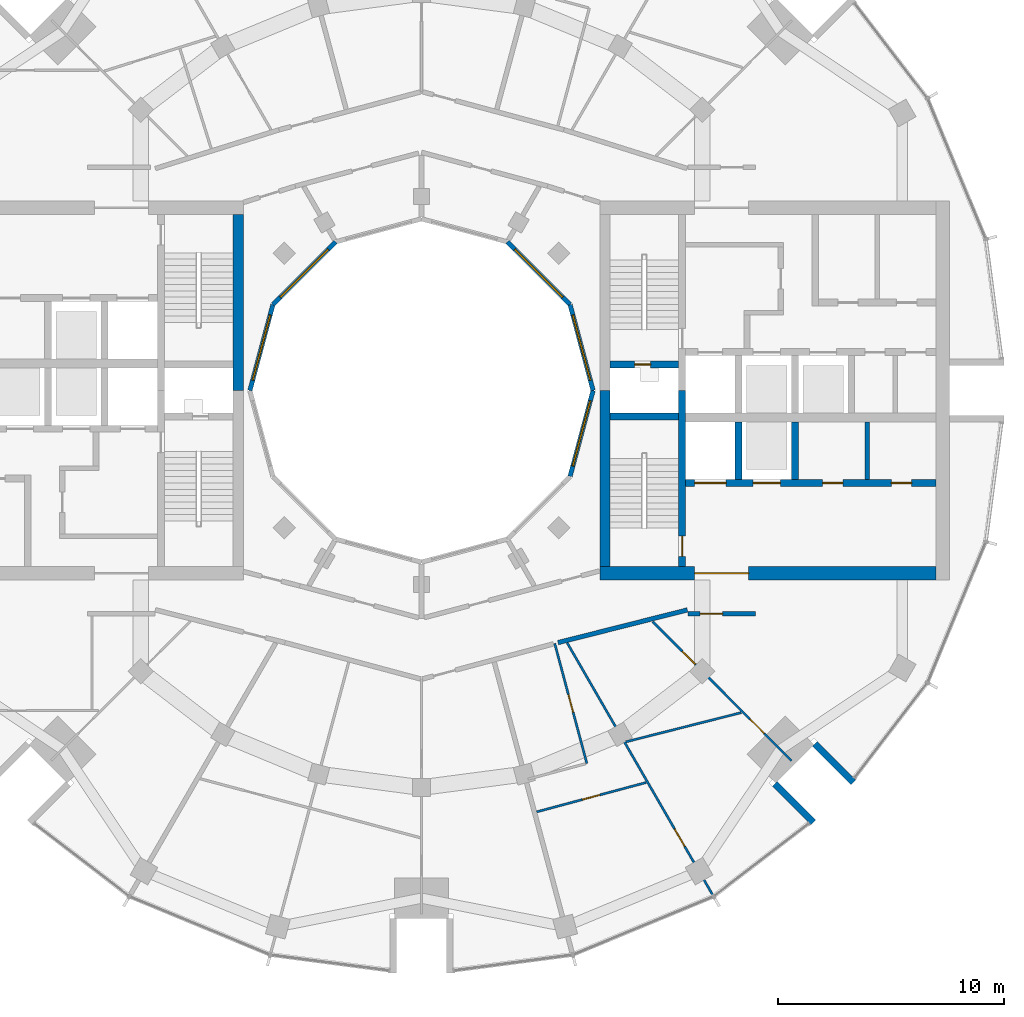
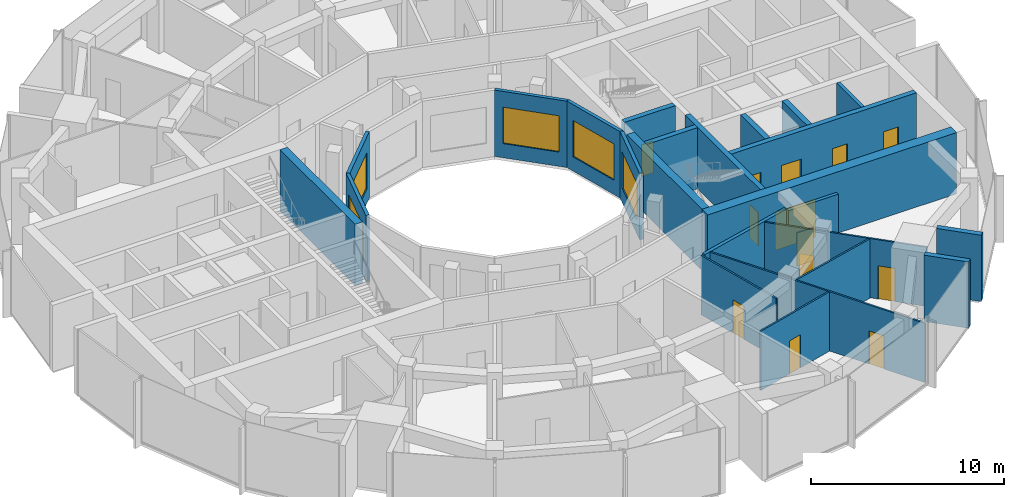
# One storey, part 10 of 15: 24 walls, 13 doors, 5 windows, 18 openings.
"""IFC4 building model written with IfcOpenShell, lengths in metres."""

from ifc_helpers import new_model, si_unit, direction, frame, frame_2d, origin, place, context, subcontext, project, spatial, rectangle, extrude, material, layer, layer_set, type_object, element, fill, save


model = new_model("IFC4")

# Units and contexts
model_context = context("Model", 3, precision=1e-05, world=origin(), true_north=direction((0.0, 1.0)))
body_context = subcontext(model_context, "Body", "Model", "MODEL_VIEW")
ifc_project = project(units=[si_unit("LENGTHUNIT", "METRE"), si_unit("AREAUNIT", "SQUARE_METRE"), si_unit("VOLUMEUNIT", "CUBIC_METRE"), si_unit("PLANEANGLEUNIT", "RADIAN"), si_unit("MASSUNIT", "GRAM", prefix="KILO")], contexts=[model_context])

# Site, building, storey
site_placement = place(None, origin())
site = spatial("IfcSite", under=ifc_project, at=site_placement, CompositionType="ELEMENT")
building_placement = place(site_placement, origin())
building = spatial("IfcBuilding", under=site, at=building_placement, Name="Torre Brocal", CompositionType="ELEMENT")
storey_placement = place(building_placement, frame((0.0, 0.0, 237.300048828125)))
storey = spatial("IfcBuildingStorey", under=building, at=storey_placement, Name="L54", CompositionType="ELEMENT", Elevation=237.300048828125)

# Wall
ifc_material_1 = material(Name="Masonry block", Category="masonry")
ifc_layer_1 = layer(ifc_material_1, 0.199951171875)
ifc_layer_set_1 = layer_set([ifc_layer_1], Name="Masonry block")
wall_type_1 = type_object("IfcWallType", Name="CORE PARTITION 200", PredefinedType="PARTITIONING", material=ifc_layer_set_1)
wall_1_placement = place(storey_placement, frame((99.75, 71.050048828125, 0.0), z_axis=(0.0, 0.0, 1.0), x_axis=(0.0, 1.0, 0.0)))
element("IfcWall", 1, at=wall_1_placement, inside=storey, type_object=wall_type_1, Name="Wall CP200", PredefinedType="PARTITIONING", context=body_context, shape_type="SweptSolid", body=[
    extrude(rectangle(XDim=2.550048828125, YDim=0.199951171875, at=frame_2d((1.27490234375, 0.0))), origin(), (0.0, 0.0, 1.0), 3.8798828125),
])

# Wall, opening, door
ifc_material_2 = material(Name="Concrete C60", Category="concrete")
ifc_layer_2 = layer(ifc_material_2, 0.300048828125)
ifc_layer_set_2 = layer_set([ifc_layer_2], Name="Concrete C60")
wall_type_2 = type_object("IfcWallType", Name="CORE WALL 300 C60", PredefinedType="SHEAR", material=ifc_layer_set_2)
wall_2_placement = place(storey_placement, frame((91.550048828125, 67.199951171875, 0.0), z_axis=(0.0, 0.0, 1.0), x_axis=(0.0, 1.0, 0.0)))
wall_2 = element("IfcWall", 2, at=wall_2_placement, inside=storey, type_object=wall_type_2, Name="Wall CW300-60", PredefinedType="SHEAR", context=body_context, shape_type="SweptSolid", body=[
    extrude(rectangle(XDim=7.800048828125, YDim=0.300048828125, at=frame_2d((3.89990234375, 0.0))), origin(), (0.0, 0.0, 1.0), 3.8798828125),
])
opening_1_placement = place(wall_2_placement, frame((0.449951171875, 0.0, 0.0)))
opening_1 = element("IfcOpeningElement", 3, at=opening_1_placement, cuts=wall_2, Name="Opening E-D03", PredefinedType="OPENING", context=body_context, shape_type="SweptSolid", body=[
    extrude(rectangle(XDim=0.89990234375, YDim=2.10009765625, at=frame_2d((0.449951171875, 1.050048828125))), frame((0.0, 0.159912109375, 0.0), z_axis=(0.0, -1.0, 0.0), x_axis=(1.0, 0.0, 0.0)), (0.0, 0.0, 1.0), 0.320068359375),
])
ifc_material_3 = material(Name="Steel A653", Category="steel")
door_type_1 = type_object("IfcDoorType", Name="STAIR DOOR FD120 900X2100", OperationType="SINGLE_SWING_RIGHT", PredefinedType="DOOR", material=ifc_material_3)
door_1_placement = place(opening_1_placement, origin())
door_1 = element("IfcDoor", 4, at=door_1_placement, inside=storey, type_object=door_type_1, Name="Door E-D03", OperationType="SINGLE_SWING_LEFT", OverallHeight=2.10009765625, OverallWidth=0.89990234375, PredefinedType="DOOR", context=body_context, shape_type="SweptSolid", body=[
    extrude(rectangle(XDim=0.89990234375, YDim=2.10009765625, at=frame_2d((0.449951171875, 1.050048828125))), frame((0.0, 0.02490234375, 0.0), z_axis=(0.0, -1.0, 0.0), x_axis=(1.0, 0.0, 0.0)), (0.0, 0.0, 1.0), 0.050048828125),
])
fill(opening_1, door_1)

wall_3_placement = place(storey_placement, frame((88.35009765625, 76.14990234375, 0.0), z_axis=(0.0, 0.0, 1.0), x_axis=(1.0, 0.0, 0.0)))
wall_3 = element("IfcWall", 5, at=wall_3_placement, inside=storey, type_object=wall_type_2, Name="Wall CW300-60", PredefinedType="SHEAR", context=body_context, shape_type="SweptSolid", body=[
    extrude(rectangle(XDim=3.0498046875, YDim=0.300048828125, at=frame_2d((1.52490234375, 0.0))), origin(), (0.0, 0.0, 1.0), 3.8798828125),
])
opening_2_placement = place(wall_3_placement, frame((1.10009765625, 0.0, 0.0)))
opening_2 = element("IfcOpeningElement", 6, at=opening_2_placement, cuts=wall_3, Name="Opening E-D01", PredefinedType="OPENING", context=body_context, shape_type="SweptSolid", body=[
    extrude(rectangle(XDim=0.699951171875, YDim=2.0, at=frame_2d((0.35009765625, 1.0))), frame((0.0, 0.159912109375, 0.0), z_axis=(0.0, -1.0, 0.0), x_axis=(1.0, 0.0, 0.0)), (0.0, 0.0, 1.0), 0.320068359375),
])
ifc_material_4 = material(Name="Steel A653", Category="steel")
door_type_2 = type_object("IfcDoorType", Name="RISER DOOR FD120 700X2000", OperationType="SINGLE_SWING_LEFT", PredefinedType="DOOR", material=ifc_material_4)
door_2_placement = place(opening_2_placement, frame((0.699951171875, 0.0, 0.0), z_axis=(0.0, 0.0, 1.0), x_axis=(-1.0, 0.0, 0.0)))
door_2 = element("IfcDoor", 7, at=door_2_placement, inside=storey, type_object=door_type_2, Name="Door E-D01", OperationType="SINGLE_SWING_RIGHT", OverallHeight=2.0, OverallWidth=0.699951171875, PredefinedType="DOOR", context=body_context, shape_type="SweptSolid", body=[
    extrude(rectangle(XDim=0.699951171875, YDim=2.0, at=frame_2d((0.35009765625, 1.0))), frame((0.0, 0.02490234375, 0.0), z_axis=(0.0, -1.0, 0.0), x_axis=(1.0, 0.0, 0.0)), (0.0, 0.0, 1.0), 0.050048828125),
])
fill(opening_2, door_2)

# Wall
wall_4_placement = place(storey_placement, frame((88.35009765625, 73.85009765625, 0.0), z_axis=(0.0, 0.0, 1.0), x_axis=(1.0, 0.0, 0.0)))
element("IfcWall", 8, at=wall_4_placement, inside=storey, type_object=wall_type_2, Name="Wall CW300-60", PredefinedType="SHEAR", context=body_context, shape_type="SweptSolid", body=[
    extrude(rectangle(XDim=3.0498046875, YDim=0.300048828125, at=frame_2d((1.52490234375, 0.0))), origin(), (0.0, 0.0, 1.0), 3.8798828125),
])

# Wall, openings, doors
wall_5_placement = place(storey_placement, frame((91.699951171875, 70.89990234375, 0.0), z_axis=(0.0, 0.0, 1.0), x_axis=(1.0, 0.0, 0.0)))
wall_5 = element("IfcWall", 9, at=wall_5_placement, inside=storey, type_object=wall_type_2, Name="Wall CW300-60", PredefinedType="SHEAR", context=body_context, shape_type="SweptSolid", body=[
    extrude(rectangle(XDim=11.10009765625, YDim=0.300048828125, at=frame_2d((5.550048828125, 0.0))), origin(), (0.0, 0.0, 1.0), 3.8798828125),
])
opening_3_placement = place(wall_5_placement, frame((0.39990234375, 0.0, 0.0)))
opening_3 = element("IfcOpeningElement", 10, at=opening_3_placement, cuts=wall_5, Name="Opening LD14", PredefinedType="OPENING", context=body_context, shape_type="SweptSolid", body=[
    extrude(rectangle(XDim=1.39990234375, YDim=2.10009765625, at=frame_2d((0.699951171875, 1.050048828125))), frame((0.0, 0.159912109375, 0.0), z_axis=(0.0, -1.0, 0.0), x_axis=(1.0, 0.0, 0.0)), (0.0, 0.0, 1.0), 0.320068359375),
])
opening_4_placement = place(wall_5_placement, frame((3.0, 0.0, 0.0)))
opening_4 = element("IfcOpeningElement", 11, at=opening_4_placement, cuts=wall_5, Name="Opening LD12", PredefinedType="OPENING", context=body_context, shape_type="SweptSolid", body=[
    extrude(rectangle(XDim=1.199951171875, YDim=2.10009765625, at=frame_2d((0.60009765625, 1.050048828125))), frame((0.0, 0.159912109375, 0.0), z_axis=(0.0, -1.0, 0.0), x_axis=(1.0, 0.0, 0.0)), (0.0, 0.0, 1.0), 0.320068359375),
])
opening_5_placement = place(wall_5_placement, frame((6.074951171875, 0.0, 0.0)))
opening_5 = element("IfcOpeningElement", 12, at=opening_5_placement, cuts=wall_5, Name="Opening E-D06", PredefinedType="OPENING", context=body_context, shape_type="SweptSolid", body=[
    extrude(rectangle(XDim=0.89990234375, YDim=2.10009765625, at=frame_2d((0.449951171875, 1.050048828125))), frame((0.0, 0.159912109375, 0.0), z_axis=(0.0, -1.0, 0.0), x_axis=(1.0, 0.0, 0.0)), (0.0, 0.0, 1.0), 0.320068359375),
])
opening_6_placement = place(wall_5_placement, frame((9.125, 0.0, 0.0)))
opening_6 = element("IfcOpeningElement", 13, at=opening_6_placement, cuts=wall_5, Name="Opening E-D07", PredefinedType="OPENING", context=body_context, shape_type="SweptSolid", body=[
    extrude(rectangle(XDim=0.89990234375, YDim=2.10009765625, at=frame_2d((0.449951171875, 1.050048828125))), frame((0.0, 0.159912109375, 0.0), z_axis=(0.0, -1.0, 0.0), x_axis=(1.0, 0.0, 0.0)), (0.0, 0.0, 1.0), 0.320068359375),
])
ifc_material_5 = material(Name="Stainless steel AISI 316", Category="steel")
door_type_3 = type_object("IfcDoorType", Name="LIFT LANDING DOOR 1200X2100", OperationType="DOUBLE_DOOR_SLIDING", PredefinedType="DOOR", material=ifc_material_5)
door_3_placement = place(opening_4_placement, origin())
door_3 = element("IfcDoor", 14, at=door_3_placement, inside=storey, type_object=door_type_3, Name="Door LD12", OperationType="DOUBLE_DOOR_SLIDING", OverallHeight=2.10009765625, OverallWidth=1.199951171875, PredefinedType="DOOR", context=body_context, shape_type="SweptSolid", body=[
    extrude(rectangle(XDim=1.199951171875, YDim=2.10009765625, at=frame_2d((0.60009765625, 1.050048828125))), frame((0.0, 0.02490234375, 0.0), z_axis=(0.0, -1.0, 0.0), x_axis=(1.0, 0.0, 0.0)), (0.0, 0.0, 1.0), 0.050048828125),
])
fill(opening_4, door_3)
ifc_material_6 = material(Name="Stainless steel AISI 316", Category="steel")
door_type_4 = type_object("IfcDoorType", Name="LIFT LANDING DOOR 1400X2100", OperationType="DOUBLE_DOOR_SLIDING", PredefinedType="DOOR", material=ifc_material_6)
door_4_placement = place(opening_3_placement, origin())
door_4 = element("IfcDoor", 15, at=door_4_placement, inside=storey, type_object=door_type_4, Name="Door LD14", OperationType="DOUBLE_DOOR_SLIDING", OverallHeight=2.10009765625, OverallWidth=1.39990234375, PredefinedType="DOOR", context=body_context, shape_type="SweptSolid", body=[
    extrude(rectangle(XDim=1.39990234375, YDim=2.10009765625, at=frame_2d((0.699951171875, 1.050048828125))), frame((0.0, 0.02490234375, 0.0), z_axis=(0.0, -1.0, 0.0), x_axis=(1.0, 0.0, 0.0)), (0.0, 0.0, 1.0), 0.050048828125),
])
fill(opening_3, door_4)
ifc_material_7 = material(Name="Steel A653", Category="steel")
door_type_5 = type_object("IfcDoorType", Name="ROOM DOOR FD30S 900X2100", OperationType="SINGLE_SWING_LEFT", PredefinedType="DOOR", material=ifc_material_7)
door_5_placement = place(opening_5_placement, origin())
door_5 = element("IfcDoor", 16, at=door_5_placement, inside=storey, type_object=door_type_5, Name="Door E-D06", OperationType="SINGLE_SWING_RIGHT", OverallHeight=2.10009765625, OverallWidth=0.89990234375, PredefinedType="DOOR", context=body_context, shape_type="SweptSolid", body=[
    extrude(rectangle(XDim=0.89990234375, YDim=2.10009765625, at=frame_2d((0.449951171875, 1.050048828125))), frame((0.0, 0.02490234375, 0.0), z_axis=(0.0, -1.0, 0.0), x_axis=(1.0, 0.0, 0.0)), (0.0, 0.0, 1.0), 0.050048828125),
])
fill(opening_5, door_5)
door_6_placement = place(opening_6_placement, origin())
door_6 = element("IfcDoor", 17, at=door_6_placement, inside=storey, type_object=door_type_5, Name="Door E-D07", OperationType="SINGLE_SWING_LEFT", OverallHeight=2.10009765625, OverallWidth=0.89990234375, PredefinedType="DOOR", context=body_context, shape_type="SweptSolid", body=[
    extrude(rectangle(XDim=0.89990234375, YDim=2.10009765625, at=frame_2d((0.449951171875, 1.050048828125))), frame((0.0, 0.02490234375, 0.0), z_axis=(0.0, -1.0, 0.0), x_axis=(1.0, 0.0, 0.0)), (0.0, 0.0, 1.0), 0.050048828125),
])
fill(opening_6, door_6)

# Walls
for number, where, z_axis, x_axis, name in (
    (18, (94.050048828125, 71.050048828125, 0.0), (0.0, 0.0, 1.0), (0.0, 1.0, 0.0), "Wall CW300-60"),
    (19, (96.550048828125, 71.050048828125, 0.0), (0.0, 0.0, 1.0), (0.0, 1.0, 0.0), "Wall CW300-60"),
):
    element("IfcWall", number, at=place(storey_placement, frame(where, z_axis=z_axis, x_axis=x_axis)), inside=storey, type_object=wall_type_2, Name=name, PredefinedType="SHEAR", context=body_context, shape_type="SweptSolid", body=[
        extrude(rectangle(XDim=2.550048828125, YDim=0.300048828125, at=frame_2d((1.27490234375, 0.0))), origin(), (0.0, 0.0, 1.0), 3.8798828125),
    ])
ifc_material_8 = material(Name="Concrete C60", Category="concrete")
ifc_layer_3 = layer(ifc_material_8, 0.449951171875)
ifc_layer_set_3 = layer_set([ifc_layer_3], Name="Concrete C60")
wall_type_3 = type_object("IfcWallType", Name="CORE WALL 450 C60", PredefinedType="SHEAR", material=ifc_layer_set_3)
for number, where, z_axis, x_axis, name in (
    (20, (88.125, 67.199951171875, 0.0), (0.0, 0.0, 1.0), (0.0, 1.0, 0.0), "Wall CW450-60"),
    (21, (71.875, 82.800048828125, 0.0), (0.0, 0.0, 1.0), (0.0, -1.0, 0.0), "Wall CW450-60"),
):
    element("IfcWall", number, at=place(storey_placement, frame(where, z_axis=z_axis, x_axis=x_axis)), inside=storey, type_object=wall_type_3, Name=name, PredefinedType="SHEAR", context=body_context, shape_type="SweptSolid", body=[
        extrude(rectangle(XDim=7.800048828125, YDim=0.449951171875, at=frame_2d((3.89990234375, 0.0))), origin(), (0.0, 0.0, 1.0), 3.8798828125),
    ])

# Wall, opening, door
ifc_material_9 = material(Name="Concrete C60", Category="concrete")
ifc_layer_4 = layer(ifc_material_9, 0.60009765625)
ifc_layer_set_4 = layer_set([ifc_layer_4], Name="Concrete C60")
wall_type_4 = type_object("IfcWallType", Name="CORE WALL 600 C60", PredefinedType="SHEAR", material=ifc_layer_set_4)
wall_6_placement = place(storey_placement, frame((87.89990234375, 66.89990234375, 0.0), z_axis=(0.0, 0.0, 1.0), x_axis=(1.0, 0.0, 0.0)))
wall_6 = element("IfcWall", 22, at=wall_6_placement, inside=storey, type_object=wall_type_4, Name="Wall CW600-60", PredefinedType="SHEAR", context=body_context, shape_type="SweptSolid", body=[
    extrude(rectangle(XDim=14.900146484375, YDim=0.60009765625, at=frame_2d((7.4501953125, 0.0))), origin(), (0.0, 0.0, 1.0), 3.8798828125),
])
opening_7_placement = place(wall_6_placement, frame((4.199951171875, 0.0, 0.0)))
opening_7 = element("IfcOpeningElement", 23, at=opening_7_placement, cuts=wall_6, Name="Opening E-D12", PredefinedType="OPENING", context=body_context, shape_type="SweptSolid", body=[
    extrude(rectangle(XDim=2.39990234375, YDim=2.39990234375, at=frame_2d((1.199951171875, 1.199951171875))), frame((0.0, 0.31005859375, 0.0), z_axis=(0.0, -1.0, 0.0), x_axis=(1.0, 0.0, 0.0)), (0.0, 0.0, 1.0), 0.6201171875),
])
ifc_material_10 = material(Name="Steel A653", Category="steel")
door_type_6 = type_object("IfcDoorType", Name="DOUBLE FIRE DOOR FD90 2400X2400", OperationType="DOUBLE_DOOR_SINGLE_SWING", PredefinedType="DOOR", material=ifc_material_10)
door_7_placement = place(opening_7_placement, origin())
door_7 = element("IfcDoor", 24, at=door_7_placement, inside=storey, type_object=door_type_6, Name="Door E-D12", OperationType="DOUBLE_DOOR_SINGLE_SWING", OverallHeight=2.39990234375, OverallWidth=2.39990234375, PredefinedType="DOOR", context=body_context, shape_type="SweptSolid", body=[
    extrude(rectangle(XDim=2.39990234375, YDim=2.39990234375, at=frame_2d((1.199951171875, 1.199951171875))), frame((0.0, 0.02490234375, 0.0), z_axis=(0.0, -1.0, 0.0), x_axis=(1.0, 0.0, 0.0)), (0.0, 0.0, 1.0), 0.050048828125),
])
fill(opening_7, door_7)

# Walls
ifc_material_11 = material(Name="Concrete C60", Category="concrete")
ifc_layer_5 = layer(ifc_material_11, 0.300048828125)
ifc_layer_set_5 = layer_set([ifc_layer_5], Name="Concrete C60")
wall_type_5 = type_object("IfcWallType", Name="NOTCH RETURN WALL 300 C60", PredefinedType="NOTDEFINED", material=ifc_layer_set_5)
for number, where, z_axis, x_axis, name in (
    (25, (95.662353515625, 57.56982421875, 0.0), (0.0, 0.0, 1.0), (0.707106781187, -0.707106781187, 0.0), "NOTCH RETURN WALL"),
    (26, (97.43017578125, 59.337646484375, 0.0), (0.0, 0.0, 1.0), (0.707106781187, -0.707106781187, 0.0), "NOTCH RETURN WALL"),
):
    element("IfcWall", number, at=place(storey_placement, frame(where, z_axis=z_axis, x_axis=x_axis)), inside=storey, type_object=wall_type_5, Name=name, PredefinedType="NOTDEFINED", context=body_context, shape_type="SweptSolid", body=[
        extrude(rectangle(XDim=2.415771484375, YDim=0.300048828125, at=frame_2d((1.2080078125, 0.0))), origin(), (0.0, 0.0, 1.0), 4.199951171875),
    ])

# Wall, opening, door
ifc_material_12 = material(Name="Gypsum board", Category="Gypsum")
ifc_layer_6 = layer(ifc_material_12, 0.10009765625)
ifc_layer_set_6 = layer_set([ifc_layer_6], Name="Gypsum board")
wall_type_6 = type_object("IfcWallType", Name="PARTITION 100", PredefinedType="PARTITIONING", material=ifc_layer_set_6)
wall_7_placement = place(storey_placement, frame((85.107666015625, 56.325927734375, 0.0), z_axis=(0.0, 0.0, 1.0), x_axis=(0.965911122806, 0.258873913014, 0.0)))
wall_7 = element("IfcWall", 27, at=wall_7_placement, inside=storey, type_object=wall_type_6, Name="BATHROOM WALL", PredefinedType="PARTITIONING", context=body_context, shape_type="SweptSolid", body=[
    extrude(rectangle(XDim=5.017333984375, YDim=0.10009765625, at=frame_2d((2.5087890625, 0.0))), origin(), (0.0, 0.0, 1.0), 3.75),
])
opening_8_placement = place(wall_7_placement, frame((2.093994140625, 0.0, 0.0)))
opening_8 = element("IfcOpeningElement", 28, at=opening_8_placement, cuts=wall_7, Name="Opening B03-D26", PredefinedType="OPENING", context=body_context, shape_type="SweptSolid", body=[
    extrude(rectangle(XDim=0.800048828125, YDim=2.10009765625, at=frame_2d((0.39990234375, 1.050048828125))), frame((0.0, 0.06005859375, 0.0), z_axis=(0.0, -1.0, 0.0), x_axis=(1.0, 0.0, 0.0)), (0.0, 0.0, 1.0), 0.1201171875),
])
ifc_material_13 = material(Name="Timber", Category="wood")
door_type_7 = type_object("IfcDoorType", Name="BATHROOM DOOR 800X2100", OperationType="SINGLE_SWING_LEFT", PredefinedType="DOOR", material=ifc_material_13)
door_8_placement = place(opening_8_placement, frame((0.800048828125, 0.0, 0.0), z_axis=(0.0, 0.0, 1.0), x_axis=(-1.0, 0.0, 0.0)))
door_8 = element("IfcDoor", 29, at=door_8_placement, inside=storey, type_object=door_type_7, Name="B03-D26", OperationType="SINGLE_SWING_RIGHT", OverallHeight=2.10009765625, OverallWidth=0.800048828125, PredefinedType="DOOR", context=body_context, shape_type="SweptSolid", body=[
    extrude(rectangle(XDim=0.800048828125, YDim=2.10009765625, at=frame_2d((0.39990234375, 1.050048828125))), frame((0.0, 0.02490234375, 0.0), z_axis=(0.0, -1.0, 0.0), x_axis=(1.0, 0.0, 0.0)), (0.0, 0.0, 1.0), 0.050048828125),
])
fill(opening_8, door_8)

wall_8_placement = place(storey_placement, frame((85.904052734375, 63.785888671875, 0.0), z_axis=(0.0, 0.0, 1.0), x_axis=(0.258855888267, -0.96591595344, 0.0)))
wall_8 = element("IfcWall", 30, at=wall_8_placement, inside=storey, type_object=wall_type_6, Name="BATHROOM WALL", PredefinedType="PARTITIONING", context=body_context, shape_type="SweptSolid", body=[
    extrude(rectangle(XDim=5.50048828125, YDim=0.10009765625, at=frame_2d((2.750244140625, 0.0))), origin(), (0.0, 0.0, 1.0), 3.75),
])
opening_9_placement = place(wall_8_placement, frame((2.350341796875, 0.0, 0.0)))
opening_9 = element("IfcOpeningElement", 31, at=opening_9_placement, cuts=wall_8, Name="Opening B03-D25", PredefinedType="OPENING", context=body_context, shape_type="SweptSolid", body=[
    extrude(rectangle(XDim=0.800048828125, YDim=2.10009765625, at=frame_2d((0.39990234375, 1.050048828125))), frame((0.0, 0.06005859375, 0.0), z_axis=(0.0, -1.0, 0.0), x_axis=(1.0, 0.0, 0.0)), (0.0, 0.0, 1.0), 0.1201171875),
])
door_9_placement = place(opening_9_placement, frame((0.800048828125, 0.0, 0.0), z_axis=(0.0, 0.0, 1.0), x_axis=(-1.0, 0.0, 0.0)))
door_9 = element("IfcDoor", 32, at=door_9_placement, inside=storey, type_object=door_type_7, Name="B03-D25", OperationType="SINGLE_SWING_LEFT", OverallHeight=2.10009765625, OverallWidth=0.800048828125, PredefinedType="DOOR", context=body_context, shape_type="SweptSolid", body=[
    extrude(rectangle(XDim=0.800048828125, YDim=2.10009765625, at=frame_2d((0.39990234375, 1.050048828125))), frame((0.0, 0.02490234375, 0.0), z_axis=(0.0, -1.0, 0.0), x_axis=(1.0, 0.0, 0.0)), (0.0, 0.0, 1.0), 0.050048828125),
])
fill(opening_9, door_9)

wall_9_placement = place(storey_placement, frame((86.454345703125, 63.81787109375, 0.0), z_axis=(0.0, 0.0, 1.0), x_axis=(0.499914882008, -0.866074541103, 0.0)))
wall_9 = element("IfcWall", 33, at=wall_9_placement, inside=storey, type_object=wall_type_6, Name="BATHROOM WALL", PredefinedType="PARTITIONING", context=body_context, shape_type="SweptSolid", body=[
    extrude(rectangle(XDim=12.886474609375, YDim=0.10009765625, at=frame_2d((6.443359375, 0.0))), origin(), (0.0, 0.0, 1.0), 3.75),
])
opening_10_placement = place(wall_9_placement, frame((9.523681640625, 0.0, 0.0)))
opening_10 = element("IfcOpeningElement", 34, at=opening_10_placement, cuts=wall_9, Name="Opening B03-D24", PredefinedType="OPENING", context=body_context, shape_type="SweptSolid", body=[
    extrude(rectangle(XDim=0.89990234375, YDim=2.10009765625, at=frame_2d((0.449951171875, 1.050048828125))), frame((0.0, 0.06005859375, 0.0), z_axis=(0.0, -1.0, 0.0), x_axis=(1.0, 0.0, 0.0)), (0.0, 0.0, 1.0), 0.1201171875),
])
ifc_material_14 = material(Name="Timber", Category="wood")
door_type_8 = type_object("IfcDoorType", Name="ROOM DOOR 900X2100", OperationType="SINGLE_SWING_LEFT", PredefinedType="DOOR", material=ifc_material_14)
door_10_placement = place(opening_10_placement, origin())
door_10 = element("IfcDoor", 35, at=door_10_placement, inside=storey, type_object=door_type_8, Name="B03-D24", OperationType="SINGLE_SWING_RIGHT", OverallHeight=2.10009765625, OverallWidth=0.89990234375, PredefinedType="DOOR", context=body_context, shape_type="SweptSolid", body=[
    extrude(rectangle(XDim=0.89990234375, YDim=2.10009765625, at=frame_2d((0.449951171875, 1.050048828125))), frame((0.0, 0.02490234375, 0.0), z_axis=(0.0, -1.0, 0.0), x_axis=(1.0, 0.0, 0.0)), (0.0, 0.0, 1.0), 0.050048828125),
])
fill(opening_10, door_10)

# Wall
wall_10_placement = place(storey_placement, frame((89.0576171875, 59.4287109375, 0.0), z_axis=(0.0, 0.0, 1.0), x_axis=(0.96946321375, 0.2452367778, 0.0)))
element("IfcWall", 36, at=wall_10_placement, inside=storey, type_object=wall_type_6, Name="BATHROOM WALL", PredefinedType="PARTITIONING", context=body_context, shape_type="SweptSolid", body=[
    extrude(rectangle(XDim=5.272216796875, YDim=0.10009765625, at=frame_2d((2.63623046875, 0.0))), origin(), (0.0, 0.0, 1.0), 3.75),
])

# Wall, openings, doors
wall_11_placement = place(storey_placement, frame((90.237060546875, 64.759033203125, 0.0), z_axis=(0.0, 0.0, 1.0), x_axis=(0.706952774706, -0.707260754132, 0.0)))
wall_11 = element("IfcWall", 37, at=wall_11_placement, inside=storey, type_object=wall_type_6, Name="BATHROOM WALL", PredefinedType="PARTITIONING", context=body_context, shape_type="SweptSolid", body=[
    extrude(rectangle(XDim=8.719970703125, YDim=0.10009765625, at=frame_2d((4.35986328125, 0.0))), origin(), (0.0, 0.0, 1.0), 3.75),
])
opening_11_placement = place(wall_11_placement, frame((6.114013671875, 0.0, 0.0)))
opening_11 = element("IfcOpeningElement", 38, at=opening_11_placement, cuts=wall_11, Name="Opening B03-D22", PredefinedType="OPENING", context=body_context, shape_type="SweptSolid", body=[
    extrude(rectangle(XDim=0.89990234375, YDim=2.10009765625, at=frame_2d((0.449951171875, 1.050048828125))), frame((0.0, 0.06005859375, 0.0), z_axis=(0.0, -1.0, 0.0), x_axis=(1.0, 0.0, 0.0)), (0.0, 0.0, 1.0), 0.1201171875),
])
opening_12_placement = place(wall_11_placement, frame((1.872314453125, 0.0, 0.0)))
opening_12 = element("IfcOpeningElement", 39, at=opening_12_placement, cuts=wall_11, Name="Opening B03-D23", PredefinedType="OPENING", context=body_context, shape_type="SweptSolid", body=[
    extrude(rectangle(XDim=0.800048828125, YDim=2.10009765625, at=frame_2d((0.39990234375, 1.050048828125))), frame((0.0, 0.06005859375, 0.0), z_axis=(0.0, -1.0, 0.0), x_axis=(1.0, 0.0, 0.0)), (0.0, 0.0, 1.0), 0.1201171875),
])
door_11_placement = place(opening_12_placement, frame((0.800048828125, 0.0, 0.0), z_axis=(0.0, 0.0, 1.0), x_axis=(-1.0, 0.0, 0.0)))
door_11 = element("IfcDoor", 40, at=door_11_placement, inside=storey, type_object=door_type_7, Name="B03-D23", OperationType="SINGLE_SWING_RIGHT", OverallHeight=2.10009765625, OverallWidth=0.800048828125, PredefinedType="DOOR", context=body_context, shape_type="SweptSolid", body=[
    extrude(rectangle(XDim=0.800048828125, YDim=2.10009765625, at=frame_2d((0.39990234375, 1.050048828125))), frame((0.0, 0.02490234375, 0.0), z_axis=(0.0, -1.0, 0.0), x_axis=(1.0, 0.0, 0.0)), (0.0, 0.0, 1.0), 0.050048828125),
])
fill(opening_12, door_11)
door_12_placement = place(opening_11_placement, origin())
door_12 = element("IfcDoor", 41, at=door_12_placement, inside=storey, type_object=door_type_8, Name="B03-D22", OperationType="SINGLE_SWING_RIGHT", OverallHeight=2.10009765625, OverallWidth=0.89990234375, PredefinedType="DOOR", context=body_context, shape_type="SweptSolid", body=[
    extrude(rectangle(XDim=0.89990234375, YDim=2.10009765625, at=frame_2d((0.449951171875, 1.050048828125))), frame((0.0, 0.02490234375, 0.0), z_axis=(0.0, -1.0, 0.0), x_axis=(1.0, 0.0, 0.0)), (0.0, 0.0, 1.0), 0.050048828125),
])
fill(opening_11, door_12)

# Wall
ifc_material_15 = material(Name="Gypsum board", Category="Gypsum")
ifc_layer_7 = layer(ifc_material_15, 0.199951171875)
ifc_layer_set_7 = layer_set([ifc_layer_7], Name="Gypsum board")
wall_type_7 = type_object("IfcWallType", Name="PARTITION 200 EI60", PredefinedType="PARTITIONING", material=ifc_layer_set_7)
wall_12_placement = place(storey_placement, frame((86.052978515625, 63.826171875, 0.0), z_axis=(0.0, 0.0, 1.0), x_axis=(0.969490004987, 0.245130843083, 0.0)))
element("IfcWall", 42, at=wall_12_placement, inside=storey, type_object=wall_type_7, Name="FLAT ENTRANCE WALL", PredefinedType="PARTITIONING", context=body_context, shape_type="SweptSolid", body=[
    extrude(rectangle(XDim=5.907958984375, YDim=0.199951171875, at=frame_2d((2.9541015625, 0.0))), origin(), (0.0, 0.0, 1.0), 3.75),
])

# Wall, opening, door
wall_13_placement = place(storey_placement, frame((91.800048828125, 65.10009765625, 0.0), z_axis=(0.0, 0.0, 1.0), x_axis=(1.0, 0.0, 0.0)))
wall_13 = element("IfcWall", 43, at=wall_13_placement, inside=storey, type_object=wall_type_7, Name="FLAT ENTRANCE WALL", PredefinedType="PARTITIONING", context=body_context, shape_type="SweptSolid", body=[
    extrude(rectangle(XDim=3.0, YDim=0.199951171875, at=frame_2d((1.5, 0.0))), origin(), (0.0, 0.0, 1.0), 3.75),
])
opening_13_placement = place(wall_13_placement, frame((0.550048828125, 0.0, 0.0)))
opening_13 = element("IfcOpeningElement", 44, at=opening_13_placement, cuts=wall_13, Name="Opening B03-D21", PredefinedType="OPENING", context=body_context, shape_type="SweptSolid", body=[
    extrude(rectangle(XDim=1.0, YDim=2.10009765625, at=frame_2d((0.5, 1.050048828125))), frame((0.0, 0.10986328125, 0.0), z_axis=(0.0, -1.0, 0.0), x_axis=(1.0, 0.0, 0.0)), (0.0, 0.0, 1.0), 0.219970703125),
])
ifc_material_16 = material(Name="Timber", Category="wood")
door_type_9 = type_object("IfcDoorType", Name="FLAT ENTRY DOOR FD30S 1000X2100", OperationType="SINGLE_SWING_RIGHT", PredefinedType="DOOR", material=ifc_material_16)
door_13_placement = place(opening_13_placement, frame((1.0, 0.0, 0.0), z_axis=(0.0, 0.0, 1.0), x_axis=(-1.0, 0.0, 0.0)))
door_13 = element("IfcDoor", 45, at=door_13_placement, inside=storey, type_object=door_type_9, Name="B03-D21", OperationType="SINGLE_SWING_RIGHT", OverallHeight=2.10009765625, OverallWidth=1.0, PredefinedType="DOOR", context=body_context, shape_type="SweptSolid", body=[
    extrude(rectangle(XDim=1.0, YDim=2.10009765625, at=frame_2d((0.5, 1.050048828125))), frame((0.0, 0.02490234375, 0.0), z_axis=(0.0, -1.0, 0.0), x_axis=(1.0, 0.0, 0.0)), (0.0, 0.0, 1.0), 0.050048828125),
])
fill(opening_13, door_13)

# Wall, opening, window
ifc_material_17 = material(Name="Concrete C40", Category="concrete")
ifc_layer_8 = layer(ifc_material_17, 0.199951171875)
ifc_layer_set_8 = layer_set([ifc_layer_8], Name="Concrete C40")
wall_type_8 = type_object("IfcWallType", Name="WELL FACADE WALL 200", PredefinedType="NOTDEFINED", material=ifc_layer_set_8)
wall_14_placement = place(storey_placement, frame((87.603515625, 75.0, 0.0), z_axis=(0.0, 0.0, 1.0), x_axis=(-0.258789828301, 0.965933654434, 0.0)))
wall_14 = element("IfcWall", 46, at=wall_14_placement, inside=storey, type_object=wall_type_8, Name="WELL FACADE WALL", PredefinedType="NOTDEFINED", context=body_context, shape_type="SweptSolid", body=[
    extrude(rectangle(XDim=3.935791015625, YDim=0.199951171875, at=frame_2d((1.9677734375, 0.0))), origin(), (0.0, 0.0, 1.0), 4.199951171875),
])
opening_14_placement = place(wall_14_placement, frame((0.468017578125, 0.0, 0.89990234375)))
opening_14 = element("IfcOpeningElement", 47, at=opening_14_placement, cuts=wall_14, Name="Opening W1", PredefinedType="OPENING", context=body_context, shape_type="SweptSolid", body=[
    extrude(rectangle(XDim=3.0, YDim=2.300048828125, at=frame_2d((1.5, 1.14990234375))), frame((0.0, 0.10986328125, 0.0), z_axis=(0.0, -1.0, 0.0), x_axis=(1.0, 0.0, 0.0)), (0.0, 0.0, 1.0), 0.219970703125),
])
ifc_material_18 = material(Name="Aluminium and glass", Category="aluminium")
window_type = type_object("IfcWindowType", Name="WELL WINDOW 3000X2300", PartitioningType="SINGLE_PANEL", PredefinedType="WINDOW", material=ifc_material_18)
window_1_placement = place(opening_14_placement, origin())
window_1 = element("IfcWindow", 48, at=window_1_placement, inside=storey, type_object=window_type, Name="WELL WINDOW 3000X2300", OverallHeight=2.300048828125, OverallWidth=3.0, PartitioningType="SINGLE_PANEL", PredefinedType="WINDOW", context=body_context, shape_type="SweptSolid", body=[
    extrude(rectangle(XDim=3.0, YDim=2.300048828125, at=frame_2d((1.5, 1.14990234375))), frame((0.0, 0.030029296875, 0.0), z_axis=(0.0, -1.0, 0.0), x_axis=(1.0, 0.0, 0.0)), (0.0, 0.0, 1.0), 0.06005859375),
])
fill(opening_14, window_1)

wall_15_placement = place(storey_placement, frame((86.5849609375, 78.8017578125, 0.0), z_axis=(0.0, 0.0, 1.0), x_axis=(-0.707106781187, 0.707106781187, 0.0)))
wall_15 = element("IfcWall", 49, at=wall_15_placement, inside=storey, type_object=wall_type_8, Name="WELL FACADE WALL", PredefinedType="NOTDEFINED", context=body_context, shape_type="SweptSolid", body=[
    extrude(rectangle(XDim=3.93603515625, YDim=0.199951171875, at=frame_2d((1.968017578125, 0.0))), origin(), (0.0, 0.0, 1.0), 4.199951171875),
])
opening_15_placement = place(wall_15_placement, frame((0.468017578125, 0.0, 0.89990234375)))
opening_15 = element("IfcOpeningElement", 50, at=opening_15_placement, cuts=wall_15, Name="Opening W1", PredefinedType="OPENING", context=body_context, shape_type="SweptSolid", body=[
    extrude(rectangle(XDim=3.0, YDim=2.300048828125, at=frame_2d((1.5, 1.14990234375))), frame((0.0, 0.10986328125, 0.0), z_axis=(0.0, -1.0, 0.0), x_axis=(1.0, 0.0, 0.0)), (0.0, 0.0, 1.0), 0.219970703125),
])
window_2_placement = place(opening_15_placement, origin())
window_2 = element("IfcWindow", 51, at=window_2_placement, inside=storey, type_object=window_type, Name="WELL WINDOW 3000X2300", OverallHeight=2.300048828125, OverallWidth=3.0, PartitioningType="SINGLE_PANEL", PredefinedType="WINDOW", context=body_context, shape_type="SweptSolid", body=[
    extrude(rectangle(XDim=3.0, YDim=2.300048828125, at=frame_2d((1.5, 1.14990234375))), frame((0.0, 0.030029296875, 0.0), z_axis=(0.0, -1.0, 0.0), x_axis=(1.0, 0.0, 0.0)), (0.0, 0.0, 1.0), 0.06005859375),
])
fill(opening_15, window_2)

wall_16_placement = place(storey_placement, frame((76.1982421875, 81.5849609375, 0.0), z_axis=(0.0, 0.0, 1.0), x_axis=(-0.707106781187, -0.707106781187, 0.0)))
wall_16 = element("IfcWall", 52, at=wall_16_placement, inside=storey, type_object=wall_type_8, Name="WELL FACADE WALL", PredefinedType="NOTDEFINED", context=body_context, shape_type="SweptSolid", body=[
    extrude(rectangle(XDim=3.93603515625, YDim=0.199951171875, at=frame_2d((1.968017578125, 0.0))), origin(), (0.0, 0.0, 1.0), 4.199951171875),
])
opening_16_placement = place(wall_16_placement, frame((0.468017578125, 0.0, 0.89990234375)))
opening_16 = element("IfcOpeningElement", 53, at=opening_16_placement, cuts=wall_16, Name="Opening W1", PredefinedType="OPENING", context=body_context, shape_type="SweptSolid", body=[
    extrude(rectangle(XDim=3.0, YDim=2.300048828125, at=frame_2d((1.5, 1.14990234375))), frame((0.0, 0.10986328125, 0.0), z_axis=(0.0, -1.0, 0.0), x_axis=(1.0, 0.0, 0.0)), (0.0, 0.0, 1.0), 0.219970703125),
])
window_3_placement = place(opening_16_placement, origin())
window_3 = element("IfcWindow", 54, at=window_3_placement, inside=storey, type_object=window_type, Name="WELL WINDOW 3000X2300", OverallHeight=2.300048828125, OverallWidth=3.0, PartitioningType="SINGLE_PANEL", PredefinedType="WINDOW", context=body_context, shape_type="SweptSolid", body=[
    extrude(rectangle(XDim=3.0, YDim=2.300048828125, at=frame_2d((1.5, 1.14990234375))), frame((0.0, 0.030029296875, 0.0), z_axis=(0.0, -1.0, 0.0), x_axis=(1.0, 0.0, 0.0)), (0.0, 0.0, 1.0), 0.06005859375),
])
fill(opening_16, window_3)

wall_17_placement = place(storey_placement, frame((73.4150390625, 78.8017578125, 0.0), z_axis=(0.0, 0.0, 1.0), x_axis=(-0.258789828301, -0.965933654434, 0.0)))
wall_17 = element("IfcWall", 55, at=wall_17_placement, inside=storey, type_object=wall_type_8, Name="WELL FACADE WALL", PredefinedType="NOTDEFINED", context=body_context, shape_type="SweptSolid", body=[
    extrude(rectangle(XDim=3.935791015625, YDim=0.199951171875, at=frame_2d((1.9677734375, 0.0))), origin(), (0.0, 0.0, 1.0), 4.199951171875),
])
opening_17_placement = place(wall_17_placement, frame((0.468017578125, 0.0, 0.89990234375)))
opening_17 = element("IfcOpeningElement", 56, at=opening_17_placement, cuts=wall_17, Name="Opening W1", PredefinedType="OPENING", context=body_context, shape_type="SweptSolid", body=[
    extrude(rectangle(XDim=3.0, YDim=2.300048828125, at=frame_2d((1.5, 1.14990234375))), frame((0.0, 0.10986328125, 0.0), z_axis=(0.0, -1.0, 0.0), x_axis=(1.0, 0.0, 0.0)), (0.0, 0.0, 1.0), 0.219970703125),
])
window_4_placement = place(opening_17_placement, origin())
window_4 = element("IfcWindow", 57, at=window_4_placement, inside=storey, type_object=window_type, Name="WELL WINDOW 3000X2300", OverallHeight=2.300048828125, OverallWidth=3.0, PartitioningType="SINGLE_PANEL", PredefinedType="WINDOW", context=body_context, shape_type="SweptSolid", body=[
    extrude(rectangle(XDim=3.0, YDim=2.300048828125, at=frame_2d((1.5, 1.14990234375))), frame((0.0, 0.030029296875, 0.0), z_axis=(0.0, -1.0, 0.0), x_axis=(1.0, 0.0, 0.0)), (0.0, 0.0, 1.0), 0.06005859375),
])
fill(opening_17, window_4)

wall_18_placement = place(storey_placement, frame((86.5849609375, 71.1982421875, 0.0), z_axis=(0.0, 0.0, 1.0), x_axis=(0.258789828301, 0.965933654434, 0.0)))
wall_18 = element("IfcWall", 58, at=wall_18_placement, inside=storey, type_object=wall_type_8, Name="WELL FACADE WALL", PredefinedType="NOTDEFINED", context=body_context, shape_type="SweptSolid", body=[
    extrude(rectangle(XDim=3.935791015625, YDim=0.199951171875, at=frame_2d((1.9677734375, 0.0))), origin(), (0.0, 0.0, 1.0), 4.199951171875),
])
opening_18_placement = place(wall_18_placement, frame((0.468017578125, 0.0, 0.89990234375)))
opening_18 = element("IfcOpeningElement", 59, at=opening_18_placement, cuts=wall_18, Name="Opening W1", PredefinedType="OPENING", context=body_context, shape_type="SweptSolid", body=[
    extrude(rectangle(XDim=3.0, YDim=2.300048828125, at=frame_2d((1.5, 1.14990234375))), frame((0.0, 0.10986328125, 0.0), z_axis=(0.0, -1.0, 0.0), x_axis=(1.0, 0.0, 0.0)), (0.0, 0.0, 1.0), 0.219970703125),
])
window_5_placement = place(opening_18_placement, origin())
window_5 = element("IfcWindow", 60, at=window_5_placement, inside=storey, type_object=window_type, Name="WELL WINDOW 3000X2300", OverallHeight=2.300048828125, OverallWidth=3.0, PartitioningType="SINGLE_PANEL", PredefinedType="WINDOW", context=body_context, shape_type="SweptSolid", body=[
    extrude(rectangle(XDim=3.0, YDim=2.300048828125, at=frame_2d((1.5, 1.14990234375))), frame((0.0, 0.030029296875, 0.0), z_axis=(0.0, -1.0, 0.0), x_axis=(1.0, 0.0, 0.0)), (0.0, 0.0, 1.0), 0.06005859375),
])
fill(opening_18, window_5)

save(model, "model.ifc")
